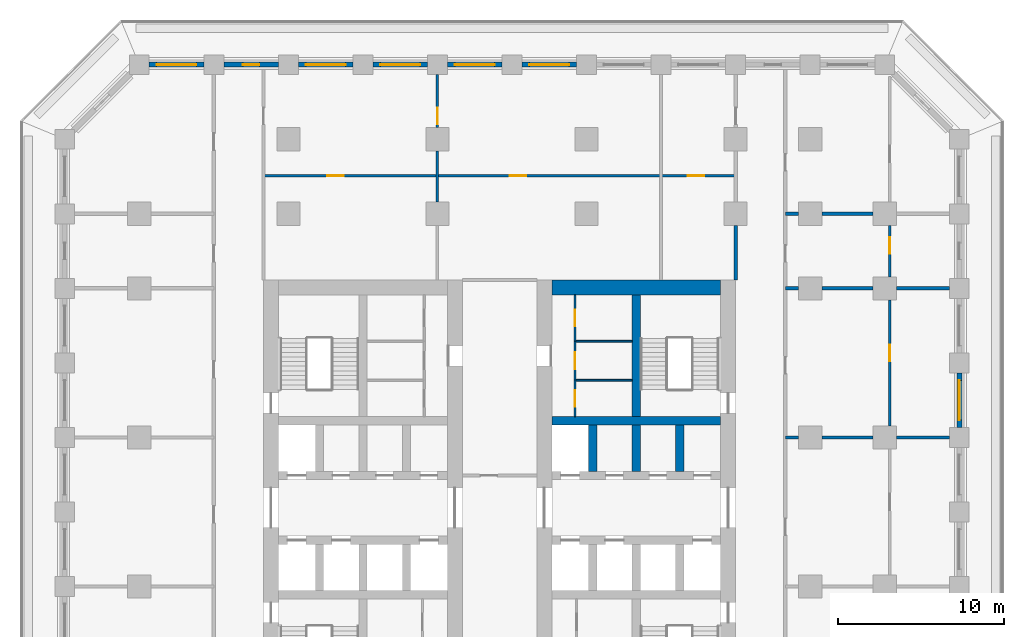
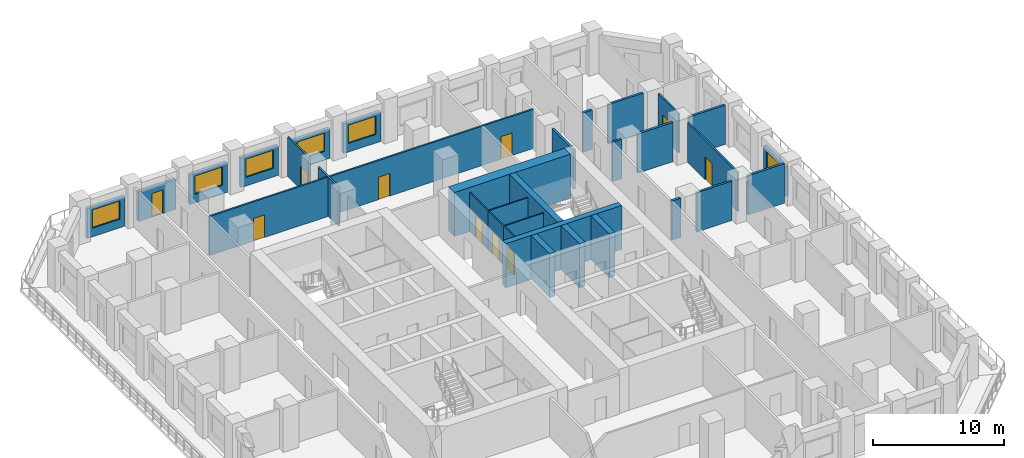
# One storey, part 7 of 17: 32 walls, 10 doors, 6 windows, 16 openings.
"""IFC4 building model written with IfcOpenShell, lengths in metres."""

import ifcopenshell
import ifcopenshell.guid

model = None  # the IFC model being written
_history = None  # IfcOwnerHistory: only IFC2X3 demands one
_inside = {}  # id of a spatial element -> (the spatial element, [elements in it])
_under = {}  # id of a project, library or spatial element -> (it, [spatial elements below it])
_declared = {}  # id of a project -> (the project, [libraries it declares])
_typed = {}  # id of a type object -> (the type object, [elements of that type])
_made_of = {}  # id of a material, layer set ... -> (it, [elements and type objects made of it])


def new_model(schema):
    """Start an empty IFC model of exactly this schema.

    Asked for "IFC4X3", IfcOpenShell would pick the latest addendum, in which some entities
    have other attributes; the version numbers below select the first issue.
    IFC2X3 requires an IfcOwnerHistory on every rooted entity: one is made here for all.
    """
    global model, _history
    if schema == "IFC4X3":
        model = ifcopenshell.file(schema_version=(4, 3, 0, 0))
    else:
        model = ifcopenshell.file(schema=schema)
    _inside.clear()
    _under.clear()
    _declared.clear()
    _typed.clear()
    _made_of.clear()
    _history = None
    if model.schema == "IFC2X3":
        org = make("IfcOrganization", Name="unknown")
        user = make(
            "IfcPersonAndOrganization",
            ThePerson=make("IfcPerson", FamilyName="unknown"),
            TheOrganization=org,
        )
        app = make(
            "IfcApplication",
            ApplicationDeveloper=org,
            Version="unknown",
            ApplicationFullName="unknown",
            ApplicationIdentifier="unknown",
        )
        _history = make(
            "IfcOwnerHistory",
            OwningUser=user,
            OwningApplication=app,
            ChangeAction="ADDED",
            CreationDate=0,
        )
    return model


def make(cls, **values):
    """One entity of the class cls with the attributes given. An attribute that is None is left unset."""
    return model.create_entity(
        cls, **{name: value for name, value in values.items() if value is not None}
    )


def rooted(cls, **values):
    """An entity with a GlobalId (a new one), such as an element, a storey or a relation."""
    return make(cls, GlobalId=ifcopenshell.guid.new(), OwnerHistory=_history, **values)


def si_unit(unit_type, name, prefix=None):
    """IfcSIUnit, for example si_unit("LENGTHUNIT", "METRE", prefix="MILLI")."""
    return make("IfcSIUnit", UnitType=unit_type, Prefix=prefix, Name=name)


def assignment(units):
    """IfcUnitAssignment: the units of a project."""
    return None if units is None else make("IfcUnitAssignment", Units=units)


def point(xyz):
    """IfcCartesianPoint."""
    return None if xyz is None else make("IfcCartesianPoint", Coordinates=xyz)


def direction(xyz):
    """IfcDirection."""
    return None if xyz is None else make("IfcDirection", DirectionRatios=xyz)


def frame(location, z_axis=None, x_axis=None):
    """IfcAxis2Placement3D, a coordinate frame: its origin and axes. An axis left out is left unset."""
    return make(
        "IfcAxis2Placement3D",
        Location=point(location),
        Axis=direction(z_axis),
        RefDirection=direction(x_axis),
    )


def frame_2d(location, x_axis=None):
    """IfcAxis2Placement2D, a coordinate frame in the plane: its origin and x axis."""
    return make(
        "IfcAxis2Placement2D", Location=point(location), RefDirection=direction(x_axis)
    )


def origin():
    """The frame at (0, 0, 0) with its axes left unset."""
    return frame((0.0, 0.0, 0.0))


def place(relative_to, where):
    """IfcLocalPlacement: puts the frame where relative to a parent placement (None: the world)."""
    return make(
        "IfcLocalPlacement", PlacementRelTo=relative_to, RelativePlacement=where
    )


def context(
    kind, dimensions, precision=None, world=None, true_north=None, identifier=None
):
    """IfcGeometricRepresentationContext, for example the 3D "Model" context."""
    return make(
        "IfcGeometricRepresentationContext",
        ContextIdentifier=identifier,
        ContextType=kind,
        CoordinateSpaceDimension=dimensions,
        Precision=precision,
        WorldCoordinateSystem=world,
        TrueNorth=true_north,
    )


def subcontext(parent, identifier, kind, view, scale=None):
    """IfcGeometricRepresentationSubContext, for example "Body" below "Model"."""
    return make(
        "IfcGeometricRepresentationSubContext",
        ContextIdentifier=identifier,
        ContextType=kind,
        ParentContext=parent,
        TargetScale=scale,
        TargetView=view,
    )


def project(units=None, contexts=None):
    """IfcProject with its units and contexts."""
    return rooted(
        "IfcProject",
        Name="project",
        RepresentationContexts=contexts,
        UnitsInContext=assignment(units),
    )


def spatial(cls, under=None, at=None, **own):
    """A site, building, storey or space (cls), placed at a placement, below another one or the project."""
    s = rooted(cls, ObjectPlacement=at, **own)
    if under is not None:
        _under.setdefault(under.id(), (under, []))[1].append(s)
    return s


def profile(cls, at=None, kind="AREA", **sizes):
    """A parametric profile (cls). Its sizes go by their IFC names, for example OverallWidth=200.0."""
    return make(cls, ProfileType=kind, Position=at, **sizes)


def rectangle(**sizes):
    """IfcRectangleProfileDef."""
    return profile("IfcRectangleProfileDef", **sizes)


def extrude(swept, where, along, depth):
    """IfcExtrudedAreaSolid: the profile swept, set in the frame where, extruded along a direction by depth."""
    return make(
        "IfcExtrudedAreaSolid",
        SweptArea=swept,
        Position=where,
        ExtrudedDirection=direction(along),
        Depth=depth,
    )


def shape(context_of_items, identifier, shape_type, items):
    """IfcShapeRepresentation: the items that make up one representation, for example the "Body"."""
    return make(
        "IfcShapeRepresentation",
        ContextOfItems=context_of_items,
        RepresentationIdentifier=identifier,
        RepresentationType=shape_type,
        Items=items,
    )


def material(Name=None, Category=None):
    """IfcMaterial."""
    return make("IfcMaterial", Name=Name, Category=Category)


def layer(
    of_material, thickness, ventilated=None, Name=None, Category=None, Priority=None
):
    """IfcMaterialLayer: one layer of a wall or slab, of a material (None: an air gap)."""
    return make(
        "IfcMaterialLayer",
        Material=of_material,
        LayerThickness=thickness,
        IsVentilated=ventilated,
        Name=Name,
        Category=Category,
        Priority=Priority,
    )


def layer_set(layers, Name=None):
    """IfcMaterialLayerSet."""
    return make("IfcMaterialLayerSet", MaterialLayers=layers, LayerSetName=Name)


def made_of(thing, what):
    """Note that an element or type object is made of a material, layer set ...; save() writes the relation."""
    if what is not None:
        _made_of.setdefault(what.id(), (what, []))[1].append(thing)
    return thing


def type_object(cls, material=None, **own):
    """A type object (cls), such as IfcWallType, which elements share."""
    return made_of(rooted(cls, **own), material)


def element(
    cls,
    number,
    at=None,
    inside=None,
    cuts=None,
    type_object=None,
    material=None,
    context=None,
    identifier="Body",
    shape_type=None,
    held_by="IfcProductDefinitionShape",
    body=None,
    shapes=None,
    **own,
):
    """One element of the class cls, such as IfcWall. Its Tag is "e" and its number.

    at: its placement. inside: the storey or other place that contains it. cuts: it is an
    opening in that element (IfcRelVoidsElement). A single representation is given by context,
    identifier, shape_type and body (its items); several are given by shapes. held_by: the class
    of the entity that holds the representations. save() writes the other relations.
    """
    e = rooted(cls, Tag="e%d" % number, ObjectPlacement=at, **own)
    if body is not None:
        shapes = [shape(context, identifier, shape_type, body)]
    if shapes is not None:
        e.Representation = make(held_by, Representations=shapes)
    if inside is not None:
        _inside.setdefault(inside.id(), (inside, []))[1].append(e)
    if cuts is not None:
        rooted(
            "IfcRelVoidsElement", RelatingBuildingElement=cuts, RelatedOpeningElement=e
        )
    if type_object is not None:
        _typed.setdefault(type_object.id(), (type_object, []))[1].append(e)
    return made_of(e, material)


def fill(opening, filler):
    """IfcRelFillsElement: the door or window that sits in an opening."""
    return rooted(
        "IfcRelFillsElement",
        RelatingOpeningElement=opening,
        RelatedBuildingElement=filler,
    )


def aggregate(whole, parts):
    """IfcRelAggregates: a whole, such as a stair, and the parts it consists of."""
    return rooted("IfcRelAggregates", RelatingObject=whole, RelatedObjects=parts)


def save(model, path):
    """Write the relations noted so far, then the file.

    IfcRelAggregates (storeys below a building ...), IfcRelContainedInSpatialStructure (elements
    in a storey), IfcRelDefinesByType, IfcRelAssociatesMaterial and IfcRelDeclares: one each for
    every whole, place, type object, material and project.
    """
    for whole, parts in _under.values():
        aggregate(whole, parts)
    for where, things in _inside.values():
        rooted(
            "IfcRelContainedInSpatialStructure",
            RelatedElements=things,
            RelatingStructure=where,
        )
    for kind, things in _typed.values():
        rooted("IfcRelDefinesByType", RelatedObjects=things, RelatingType=kind)
    for what, things in _made_of.values():
        rooted("IfcRelAssociatesMaterial", RelatedObjects=things, RelatingMaterial=what)
    for by, libraries in _declared.values():
        rooted("IfcRelDeclares", RelatingContext=by, RelatedDefinitions=libraries)
    model.write(path)


model = new_model("IFC4")

# Units and contexts
model_context = context("Model", 3, precision=1e-05, world=origin(), true_north=direction((0.0, 1.0)))
body_context = subcontext(model_context, "Body", "Model", "MODEL_VIEW")
ifc_project = project(units=[si_unit("LENGTHUNIT", "METRE"), si_unit("AREAUNIT", "SQUARE_METRE"), si_unit("VOLUMEUNIT", "CUBIC_METRE"), si_unit("PLANEANGLEUNIT", "RADIAN"), si_unit("MASSUNIT", "GRAM", prefix="KILO")], contexts=[model_context])

# Site, building, storey
site_placement = place(None, origin())
site = spatial("IfcSite", under=ifc_project, at=site_placement, CompositionType="ELEMENT")
building_placement = place(site_placement, origin())
building = spatial("IfcBuilding", under=site, at=building_placement, Name="Corbel Stack Research Tower", CompositionType="ELEMENT")
storey_placement = place(building_placement, frame((0.0, 0.0, 86.10009765625)))
storey = spatial("IfcBuildingStorey", under=building, at=storey_placement, Name="L19", CompositionType="ELEMENT", Elevation=86.10009765625)

# Walls
ifc_material_1 = material(Name="Concrete C70/85", Category="concrete")
ifc_layer_1 = layer(ifc_material_1, 0.5)
ifc_layer_set_1 = layer_set([ifc_layer_1], Name="Concrete C70/85")
wall_type_1 = type_object("IfcWallType", Name="CW-500-70", PredefinedType="SHEAR", material=ifc_layer_set_1)
wall_1_placement = place(storey_placement, frame((6.89990234375, 10.0, 0.0), z_axis=(0.0, 0.0, 1.0), x_axis=(1.0, 0.0, 0.0)))
element("IfcWall", 1, at=wall_1_placement, inside=storey, type_object=wall_type_1, Name="East core wall, north row back L19", PredefinedType="SHEAR", context=body_context, shape_type="SweptSolid", body=[
    extrude(rectangle(XDim=10.2001953125, YDim=0.5, at=frame_2d((5.10009765625, 0.0))), origin(), (0.0, 0.0, 1.0), 4.099853515625),
])
for number, where, z_axis, x_axis, name in (
    (2, (9.375, 6.949951171875, 0.0), (0.0, 0.0, 1.0), (0.0, 1.0, 0.0), "East core wall, north shaft 1 L19"),
    (3, (12.0, 6.949951171875, 0.0), (0.0, 0.0, 1.0), (0.0, 1.0, 0.0), "East core wall, north shaft 2 L19"),
    (4, (14.625, 6.949951171875, 0.0), (0.0, 0.0, 1.0), (0.0, 1.0, 0.0), "East core wall, north shaft 3 L19"),
):
    element("IfcWall", number, at=place(storey_placement, frame(where, z_axis=z_axis, x_axis=x_axis)), inside=storey, type_object=wall_type_1, Name=name, PredefinedType="SHEAR", context=body_context, shape_type="SweptSolid", body=[
        extrude(rectangle(XDim=2.800048828125, YDim=0.5, at=frame_2d((1.39990234375, 0.0))), origin(), (0.0, 0.0, 1.0), 4.099853515625),
    ])
wall_2_placement = place(storey_placement, frame((12.0, 10.25, 0.0), z_axis=(0.0, 0.0, 1.0), x_axis=(0.0, 1.0, 0.0)))
element("IfcWall", 5, at=wall_2_placement, inside=storey, type_object=wall_type_1, Name="East core wall, north stair and riser L19", PredefinedType="SHEAR", context=body_context, shape_type="SweptSolid", body=[
    extrude(rectangle(XDim=7.35009765625, YDim=0.5, at=frame_2d((3.675048828125, 0.0))), origin(), (0.0, 0.0, 1.0), 4.099853515625),
])
ifc_material_2 = material(Name="Concrete C70/85", Category="concrete")
ifc_layer_2 = layer(ifc_material_2, 0.89990234375)
ifc_layer_set_2 = layer_set([ifc_layer_2], Name="Concrete C70/85")
wall_type_2 = type_object("IfcWallType", Name="CW-900-70", PredefinedType="SHEAR", material=ifc_layer_set_2)
wall_3_placement = place(storey_placement, frame((6.89990234375, 18.050048828125, 0.0), z_axis=(0.0, 0.0, 1.0), x_axis=(1.0, 0.0, 0.0)))
element("IfcWall", 6, at=wall_3_placement, inside=storey, type_object=wall_type_2, Name="East core wall, north end L19", PredefinedType="SHEAR", context=body_context, shape_type="SweptSolid", body=[
    extrude(rectangle(XDim=10.2001953125, YDim=0.89990234375, at=frame_2d((5.10009765625, 0.0))), origin(), (0.0, 0.0, 1.0), 4.099853515625),
])

# Wall, opening, door
ifc_material_3 = material(Name="Gypsum board")
ifc_layer_3 = layer(ifc_material_3, 0.10009765625)
ifc_layer_set_3 = layer_set([ifc_layer_3], Name="Gypsum board")
wall_type_3 = type_object("IfcWallType", Name="Core partition 100", PredefinedType="PARTITIONING", material=ifc_layer_set_3)
wall_4_placement = place(storey_placement, frame((8.300048828125, 10.25, 0.0), z_axis=(0.0, 0.0, 1.0), x_axis=(0.0, 1.0, 0.0)))
wall_4 = element("IfcWall", 7, at=wall_4_placement, inside=storey, type_object=wall_type_3, Name="Core partition E", PredefinedType="PARTITIONING", context=body_context, shape_type="SweptSolid", body=[
    extrude(rectangle(XDim=2.205078125, YDim=0.10009765625, at=frame_2d((1.1025390625, 0.0))), origin(), (0.0, 0.0, 1.0), 3.64990234375),
])
opening_1_placement = place(wall_4_placement, frame((0.6025390625, 0.0, 0.0)))
opening_1 = element("IfcOpeningElement", 8, at=opening_1_placement, cuts=wall_4, Name="Opening CR-E12-R2-1000", PredefinedType="OPENING", context=body_context, shape_type="SweptSolid", body=[
    extrude(rectangle(XDim=1.0, YDim=2.10009765625, at=frame_2d((0.5, 1.050048828125))), frame((0.0, 0.06005859375, 0.0), z_axis=(0.0, -1.0, 0.0), x_axis=(1.0, 0.0, 0.0)), (0.0, 0.0, 1.0), 0.1201171875),
])
ifc_material_4 = material(Name="Painted steel door", Category="steel")
door_type_1 = type_object("IfcDoorType", Name="Riser door 1000 x 2100 FD60 left hand", OperationType="SINGLE_SWING_LEFT", PredefinedType="DOOR", material=ifc_material_4)
door_1_placement = place(opening_1_placement, origin())
door_1 = element("IfcDoor", 9, at=door_1_placement, inside=storey, type_object=door_type_1, Name="Mechanical riser door E core", OperationType="SINGLE_SWING_LEFT", OverallHeight=2.10009765625, OverallWidth=1.0, PredefinedType="DOOR", context=body_context, shape_type="SweptSolid", body=[
    extrude(rectangle(XDim=1.0, YDim=2.10009765625, at=frame_2d((0.5, 1.050048828125))), frame((0.0, 0.02490234375, 0.0), z_axis=(0.0, -1.0, 0.0), x_axis=(1.0, 0.0, 0.0)), (0.0, 0.0, 1.0), 0.050048828125),
])
fill(opening_1, door_1)

wall_5_placement = place(storey_placement, frame((8.300048828125, 12.455078125, 0.0), z_axis=(0.0, 0.0, 1.0), x_axis=(0.0, 1.0, 0.0)))
wall_5 = element("IfcWall", 10, at=wall_5_placement, inside=storey, type_object=wall_type_3, Name="Core partition E", PredefinedType="PARTITIONING", context=body_context, shape_type="SweptSolid", body=[
    extrude(rectangle(XDim=2.351806640625, YDim=0.10009765625, at=frame_2d((1.17578125, 0.0))), origin(), (0.0, 0.0, 1.0), 3.64990234375),
])
opening_2_placement = place(wall_5_placement, frame((0.676025390625, 0.0, 0.0)))
opening_2 = element("IfcOpeningElement", 11, at=opening_2_placement, cuts=wall_5, Name="Opening CR-E12-R3-1000", PredefinedType="OPENING", context=body_context, shape_type="SweptSolid", body=[
    extrude(rectangle(XDim=1.0, YDim=2.10009765625, at=frame_2d((0.5, 1.050048828125))), frame((0.0, 0.06005859375, 0.0), z_axis=(0.0, -1.0, 0.0), x_axis=(1.0, 0.0, 0.0)), (0.0, 0.0, 1.0), 0.1201171875),
])
ifc_material_5 = material(Name="Painted steel door", Category="steel")
door_type_2 = type_object("IfcDoorType", Name="Service door 1000 x 2100 FD30 right hand", OperationType="SINGLE_SWING_RIGHT", PredefinedType="DOOR", material=ifc_material_5)
door_2_placement = place(opening_2_placement, origin())
door_2 = element("IfcDoor", 12, at=door_2_placement, inside=storey, type_object=door_type_2, Name="Pantry door E core", OperationType="SINGLE_SWING_RIGHT", OverallHeight=2.10009765625, OverallWidth=1.0, PredefinedType="DOOR", context=body_context, shape_type="SweptSolid", body=[
    extrude(rectangle(XDim=1.0, YDim=2.10009765625, at=frame_2d((0.5, 1.050048828125))), frame((0.0, 0.02490234375, 0.0), z_axis=(0.0, -1.0, 0.0), x_axis=(1.0, 0.0, 0.0)), (0.0, 0.0, 1.0), 0.050048828125),
])
fill(opening_2, door_2)

wall_6_placement = place(storey_placement, frame((8.300048828125, 14.806884765625, 0.0), z_axis=(0.0, 0.0, 1.0), x_axis=(0.0, 1.0, 0.0)))
wall_6 = element("IfcWall", 13, at=wall_6_placement, inside=storey, type_object=wall_type_3, Name="Core partition E", PredefinedType="PARTITIONING", context=body_context, shape_type="SweptSolid", body=[
    extrude(rectangle(XDim=2.793212890625, YDim=0.10009765625, at=frame_2d((1.396484375, 0.0))), origin(), (0.0, 0.0, 1.0), 3.64990234375),
])
opening_3_placement = place(wall_6_placement, frame((0.896484375, 0.0, 0.0)))
opening_3 = element("IfcOpeningElement", 14, at=opening_3_placement, cuts=wall_6, Name="Opening CR-E12-R4-1000", PredefinedType="OPENING", context=body_context, shape_type="SweptSolid", body=[
    extrude(rectangle(XDim=1.0, YDim=2.10009765625, at=frame_2d((0.5, 1.050048828125))), frame((0.0, 0.06005859375, 0.0), z_axis=(0.0, -1.0, 0.0), x_axis=(1.0, 0.0, 0.0)), (0.0, 0.0, 1.0), 0.1201171875),
])
door_3_placement = place(opening_3_placement, origin())
door_3 = element("IfcDoor", 15, at=door_3_placement, inside=storey, type_object=door_type_1, Name="Electrical riser door E core", OperationType="SINGLE_SWING_LEFT", OverallHeight=2.10009765625, OverallWidth=1.0, PredefinedType="DOOR", context=body_context, shape_type="SweptSolid", body=[
    extrude(rectangle(XDim=1.0, YDim=2.10009765625, at=frame_2d((0.5, 1.050048828125))), frame((0.0, 0.02490234375, 0.0), z_axis=(0.0, -1.0, 0.0), x_axis=(1.0, 0.0, 0.0)), (0.0, 0.0, 1.0), 0.050048828125),
])
fill(opening_3, door_3)

# Walls
for number, where, z_axis, x_axis, name in (
    (16, (8.300048828125, 12.455078125, 0.0), (0.0, 0.0, 1.0), (1.0, 0.0, 0.0), "Core partition E"),
    (17, (8.300048828125, 14.806884765625, 0.0), (0.0, 0.0, 1.0), (1.0, 0.0, 0.0), "Core partition E"),
):
    element("IfcWall", number, at=place(storey_placement, frame(where, z_axis=z_axis, x_axis=x_axis)), inside=storey, type_object=wall_type_3, Name=name, PredefinedType="PARTITIONING", context=body_context, shape_type="SweptSolid", body=[
        extrude(rectangle(XDim=3.449951171875, YDim=0.10009765625, at=frame_2d((1.72509765625, 0.0))), origin(), (0.0, 0.0, 1.0), 3.64990234375),
    ])

# Wall, opening, door
ifc_material_6 = material(Name="Fire-rated gypsum board partition on steel studs", Category="steel")
ifc_layer_4 = layer(ifc_material_6, 0.14990234375)
ifc_layer_set_4 = layer_set([ifc_layer_4], Name="Fire-rated gypsum board partition on steel studs")
wall_type_4 = type_object("IfcWallType", Name="Fire-rated partition 150 EI 60", PredefinedType="PARTITIONING", material=ifc_layer_set_4)
wall_7_placement = place(storey_placement, frame((0.0, 30.89990234375, 0.0), z_axis=(0.0, 0.0, 1.0), x_axis=(0.0, -1.0, 0.0)))
wall_7 = element("IfcWall", 18, at=wall_7_placement, inside=storey, type_object=wall_type_4, Name="Partition L19-006", PredefinedType="PARTITIONING", context=body_context, shape_type="SweptSolid", body=[
    extrude(rectangle(XDim=3.199951171875, YDim=0.14990234375, at=frame_2d((1.60009765625, 0.0))), origin(), (0.0, 0.0, 1.0), 3.64990234375),
])
opening_4_placement = place(wall_7_placement, frame((2.0, 0.0, 0.0)))
opening_4 = element("IfcOpeningElement", 19, at=opening_4_placement, cuts=wall_7, Name="Opening B3V1-013", PredefinedType="OPENING", context=body_context, shape_type="SweptSolid", body=[
    extrude(rectangle(XDim=1.0, YDim=2.10009765625, at=frame_2d((0.5, 1.050048828125))), frame((0.0, 0.0849609375, 0.0), z_axis=(0.0, -1.0, 0.0), x_axis=(1.0, 0.0, 0.0)), (0.0, 0.0, 1.0), 0.169921875),
])
ifc_material_7 = material(Name="Painted steel fire door", Category="steel")
door_type_3 = type_object("IfcDoorType", Name="Fire door FD30S 1000 x 2100", OperationType="NOTDEFINED", PredefinedType="DOOR", material=ifc_material_7)
door_4_placement = place(opening_4_placement, origin())
door_4 = element("IfcDoor", 20, at=door_4_placement, inside=storey, type_object=door_type_3, Name="Door B3V1-013", OperationType="SINGLE_SWING_RIGHT", OverallHeight=2.10009765625, OverallWidth=1.0, PredefinedType="DOOR", context=body_context, shape_type="SweptSolid", body=[
    extrude(rectangle(XDim=1.0, YDim=2.10009765625, at=frame_2d((0.5, 1.050048828125))), frame((0.0, 0.02490234375, 0.0), z_axis=(0.0, -1.0, 0.0), x_axis=(1.0, 0.0, 0.0)), (0.0, 0.0, 1.0), 0.050048828125),
])
fill(opening_4, door_4)

# Walls
ifc_material_8 = material(Name="Fire-rated gypsum board partition on steel studs", Category="steel")
ifc_layer_5 = layer(ifc_material_8, 0.199951171875)
ifc_layer_set_5 = layer_set([ifc_layer_5], Name="Fire-rated gypsum board partition on steel studs")
wall_type_5 = type_object("IfcWallType", Name="Fire-rated partition 200 EI 60", PredefinedType="PARTITIONING", material=ifc_layer_set_5)
wall_8_placement = place(storey_placement, frame((18.0, 18.5, 0.0), z_axis=(0.0, 0.0, 1.0), x_axis=(0.0, 1.0, 0.0)))
element("IfcWall", 21, at=wall_8_placement, inside=storey, type_object=wall_type_5, Name="Partition L19-013", PredefinedType="PARTITIONING", context=body_context, shape_type="SweptSolid", body=[
    extrude(rectangle(XDim=3.300048828125, YDim=0.199951171875, at=frame_2d((1.64990234375, 0.0))), origin(), (0.0, 0.0, 1.0), 3.64990234375),
])
wall_9_placement = place(storey_placement, frame((21.0, 9.0, 0.0), z_axis=(0.0, 0.0, 1.0), x_axis=(1.0, 0.0, 0.0)))
element("IfcWall", 22, at=wall_9_placement, inside=storey, type_object=wall_type_5, Name="Partition L19-035", PredefinedType="PARTITIONING", context=body_context, shape_type="SweptSolid", body=[
    extrude(rectangle(XDim=0.800048828125, YDim=0.199951171875, at=frame_2d((0.39990234375, 0.0))), origin(), (0.0, 0.0, 1.0), 3.64990234375),
])
wall_10_placement = place(storey_placement, frame((23.199951171875, 9.0, 0.0), z_axis=(0.0, 0.0, 1.0), x_axis=(1.0, 0.0, 0.0)))
element("IfcWall", 23, at=wall_10_placement, inside=storey, type_object=wall_type_5, Name="Partition L19-036", PredefinedType="PARTITIONING", context=body_context, shape_type="SweptSolid", body=[
    extrude(rectangle(XDim=3.10009765625, YDim=0.199951171875, at=frame_2d((1.550048828125, 0.0))), origin(), (0.0, 0.0, 1.0), 3.64990234375),
])
wall_11_placement = place(storey_placement, frame((27.699951171875, 9.0, 0.0), z_axis=(0.0, 0.0, 1.0), x_axis=(1.0, 0.0, 0.0)))
element("IfcWall", 24, at=wall_11_placement, inside=storey, type_object=wall_type_5, Name="Partition L19-037", PredefinedType="PARTITIONING", context=body_context, shape_type="SweptSolid", body=[
    extrude(rectangle(XDim=3.199951171875, YDim=0.199951171875, at=frame_2d((1.60009765625, 0.0))), origin(), (0.0, 0.0, 1.0), 3.64990234375),
])
wall_12_placement = place(storey_placement, frame((21.0, 18.0, 0.0), z_axis=(0.0, 0.0, 1.0), x_axis=(1.0, 0.0, 0.0)))
element("IfcWall", 25, at=wall_12_placement, inside=storey, type_object=wall_type_5, Name="Partition L19-040", PredefinedType="PARTITIONING", context=body_context, shape_type="SweptSolid", body=[
    extrude(rectangle(XDim=0.800048828125, YDim=0.199951171875, at=frame_2d((0.39990234375, 0.0))), origin(), (0.0, 0.0, 1.0), 3.64990234375),
])
wall_13_placement = place(storey_placement, frame((23.199951171875, 18.0, 0.0), z_axis=(0.0, 0.0, 1.0), x_axis=(1.0, 0.0, 0.0)))
element("IfcWall", 26, at=wall_13_placement, inside=storey, type_object=wall_type_5, Name="Partition L19-041", PredefinedType="PARTITIONING", context=body_context, shape_type="SweptSolid", body=[
    extrude(rectangle(XDim=3.10009765625, YDim=0.199951171875, at=frame_2d((1.550048828125, 0.0))), origin(), (0.0, 0.0, 1.0), 3.64990234375),
])
wall_14_placement = place(storey_placement, frame((27.699951171875, 18.0, 0.0), z_axis=(0.0, 0.0, 1.0), x_axis=(1.0, 0.0, 0.0)))
element("IfcWall", 27, at=wall_14_placement, inside=storey, type_object=wall_type_5, Name="Partition L19-042", PredefinedType="PARTITIONING", context=body_context, shape_type="SweptSolid", body=[
    extrude(rectangle(XDim=3.199951171875, YDim=0.199951171875, at=frame_2d((1.60009765625, 0.0))), origin(), (0.0, 0.0, 1.0), 3.64990234375),
])
wall_15_placement = place(storey_placement, frame((21.0, 22.5, 0.0), z_axis=(0.0, 0.0, 1.0), x_axis=(1.0, 0.0, 0.0)))
element("IfcWall", 28, at=wall_15_placement, inside=storey, type_object=wall_type_5, Name="Partition L19-046", PredefinedType="PARTITIONING", context=body_context, shape_type="SweptSolid", body=[
    extrude(rectangle(XDim=0.800048828125, YDim=0.199951171875, at=frame_2d((0.39990234375, 0.0))), origin(), (0.0, 0.0, 1.0), 3.64990234375),
])
wall_16_placement = place(storey_placement, frame((23.199951171875, 22.5, 0.0), z_axis=(0.0, 0.0, 1.0), x_axis=(1.0, 0.0, 0.0)))
element("IfcWall", 29, at=wall_16_placement, inside=storey, type_object=wall_type_5, Name="Partition L19-047", PredefinedType="PARTITIONING", context=body_context, shape_type="SweptSolid", body=[
    extrude(rectangle(XDim=3.10009765625, YDim=0.199951171875, at=frame_2d((1.550048828125, 0.0))), origin(), (0.0, 0.0, 1.0), 3.64990234375),
])
ifc_material_9 = material(Name="Gypsum board partition on steel studs", Category="steel")
ifc_layer_6 = layer(ifc_material_9, 0.14990234375)
ifc_layer_set_6 = layer_set([ifc_layer_6], Name="Gypsum board partition on steel studs")
wall_type_6 = type_object("IfcWallType", Name="Partition 150", PredefinedType="PARTITIONING", material=ifc_layer_set_6)
wall_17_placement = place(storey_placement, frame((0.0, 23.199951171875, 0.0), z_axis=(0.0, 0.0, 1.0), x_axis=(0.0, 1.0, 0.0)))
element("IfcWall", 30, at=wall_17_placement, inside=storey, type_object=wall_type_6, Name="Partition L19-005", PredefinedType="PARTITIONING", context=body_context, shape_type="SweptSolid", body=[
    extrude(rectangle(XDim=3.10009765625, YDim=0.14990234375, at=frame_2d((1.550048828125, 0.0))), origin(), (0.0, 0.0, 1.0), 3.64990234375),
])

# Wall, opening, door
wall_18_placement = place(storey_placement, frame((27.300048828125, 17.300048828125, 0.0), z_axis=(0.0, 0.0, 1.0), x_axis=(0.0, -1.0, 0.0)))
wall_18 = element("IfcWall", 31, at=wall_18_placement, inside=storey, type_object=wall_type_6, Name="Partition L19-020", PredefinedType="PARTITIONING", context=body_context, shape_type="SweptSolid", body=[
    extrude(rectangle(XDim=7.60009765625, YDim=0.14990234375, at=frame_2d((3.800048828125, 0.0))), origin(), (0.0, 0.0, 1.0), 3.64990234375),
])
opening_5_placement = place(wall_18_placement, frame((2.699951171875, 0.0, 0.0)))
opening_5 = element("IfcOpeningElement", 32, at=opening_5_placement, cuts=wall_18, Name="Opening B3V1-029", PredefinedType="OPENING", context=body_context, shape_type="SweptSolid", body=[
    extrude(rectangle(XDim=1.0, YDim=2.10009765625, at=frame_2d((0.5, 1.050048828125))), frame((0.0, 0.0849609375, 0.0), z_axis=(0.0, -1.0, 0.0), x_axis=(1.0, 0.0, 0.0)), (0.0, 0.0, 1.0), 0.169921875),
])
ifc_material_10 = material(Name="Painted timber door", Category="wood")
door_type_4 = type_object("IfcDoorType", Name="Single door 1000 x 2100", OperationType="NOTDEFINED", PredefinedType="DOOR", material=ifc_material_10)
door_5_placement = place(opening_5_placement, origin())
door_5 = element("IfcDoor", 33, at=door_5_placement, inside=storey, type_object=door_type_4, Name="Door B3V1-029", OperationType="SINGLE_SWING_LEFT", OverallHeight=2.10009765625, OverallWidth=1.0, PredefinedType="DOOR", context=body_context, shape_type="SweptSolid", body=[
    extrude(rectangle(XDim=1.0, YDim=2.10009765625, at=frame_2d((0.5, 1.050048828125))), frame((0.0, 0.02490234375, 0.0), z_axis=(0.0, -1.0, 0.0), x_axis=(1.0, 0.0, 0.0)), (0.0, 0.0, 1.0), 0.050048828125),
])
fill(opening_5, door_5)

wall_19_placement = place(storey_placement, frame((27.300048828125, 21.800048828125, 0.0), z_axis=(0.0, 0.0, 1.0), x_axis=(0.0, -1.0, 0.0)))
wall_19 = element("IfcWall", 34, at=wall_19_placement, inside=storey, type_object=wall_type_6, Name="Partition L19-021", PredefinedType="PARTITIONING", context=body_context, shape_type="SweptSolid", body=[
    extrude(rectangle(XDim=3.10009765625, YDim=0.14990234375, at=frame_2d((1.550048828125, 0.0))), origin(), (0.0, 0.0, 1.0), 3.64990234375),
])
opening_6_placement = place(wall_19_placement, frame((0.699951171875, 0.0, 0.0)))
opening_6 = element("IfcOpeningElement", 35, at=opening_6_placement, cuts=wall_19, Name="Opening B3V1-030", PredefinedType="OPENING", context=body_context, shape_type="SweptSolid", body=[
    extrude(rectangle(XDim=1.0, YDim=2.10009765625, at=frame_2d((0.5, 1.050048828125))), frame((0.0, 0.0849609375, 0.0), z_axis=(0.0, -1.0, 0.0), x_axis=(1.0, 0.0, 0.0)), (0.0, 0.0, 1.0), 0.169921875),
])
door_6_placement = place(opening_6_placement, origin())
door_6 = element("IfcDoor", 36, at=door_6_placement, inside=storey, type_object=door_type_4, Name="Door B3V1-030", OperationType="SINGLE_SWING_LEFT", OverallHeight=2.10009765625, OverallWidth=1.0, PredefinedType="DOOR", context=body_context, shape_type="SweptSolid", body=[
    extrude(rectangle(XDim=1.0, YDim=2.10009765625, at=frame_2d((0.5, 1.050048828125))), frame((0.0, 0.02490234375, 0.0), z_axis=(0.0, -1.0, 0.0), x_axis=(1.0, 0.0, 0.0)), (0.0, 0.0, 1.0), 0.050048828125),
])
fill(opening_6, door_6)

# Wall, openings, doors
wall_20_placement = place(storey_placement, frame((18.0, 24.800048828125, 0.0), z_axis=(0.0, 0.0, 1.0), x_axis=(-1.0, 0.0, 0.0)))
wall_20 = element("IfcWall", 37, at=wall_20_placement, inside=storey, type_object=wall_type_6, Name="Partition L19-049", PredefinedType="PARTITIONING", context=body_context, shape_type="SweptSolid", body=[
    extrude(rectangle(XDim=28.5, YDim=0.14990234375, at=frame_2d((14.25, 0.0))), origin(), (0.0, 0.0, 1.0), 3.64990234375),
])
opening_7_placement = place(wall_20_placement, frame((23.64990234375, 0.0, 0.0)))
opening_7 = element("IfcOpeningElement", 38, at=opening_7_placement, cuts=wall_20, Name="Opening B3V1-023", PredefinedType="OPENING", context=body_context, shape_type="SweptSolid", body=[
    extrude(rectangle(XDim=1.0, YDim=2.10009765625, at=frame_2d((0.5, 1.050048828125))), frame((0.0, 0.0849609375, 0.0), z_axis=(0.0, -1.0, 0.0), x_axis=(1.0, 0.0, 0.0)), (0.0, 0.0, 1.0), 0.169921875),
])
opening_8_placement = place(wall_20_placement, frame((12.64990234375, 0.0, 0.0)))
opening_8 = element("IfcOpeningElement", 39, at=opening_8_placement, cuts=wall_20, Name="Opening B3V1-024", PredefinedType="OPENING", context=body_context, shape_type="SweptSolid", body=[
    extrude(rectangle(XDim=1.0, YDim=2.10009765625, at=frame_2d((0.5, 1.050048828125))), frame((0.0, 0.0849609375, 0.0), z_axis=(0.0, -1.0, 0.0), x_axis=(1.0, 0.0, 0.0)), (0.0, 0.0, 1.0), 0.169921875),
])
opening_9_placement = place(wall_20_placement, frame((1.89990234375, 0.0, 0.0)))
opening_9 = element("IfcOpeningElement", 40, at=opening_9_placement, cuts=wall_20, Name="Opening B3V1-025", PredefinedType="OPENING", context=body_context, shape_type="SweptSolid", body=[
    extrude(rectangle(XDim=1.0, YDim=2.10009765625, at=frame_2d((0.5, 1.050048828125))), frame((0.0, 0.0849609375, 0.0), z_axis=(0.0, -1.0, 0.0), x_axis=(1.0, 0.0, 0.0)), (0.0, 0.0, 1.0), 0.169921875),
])
door_7_placement = place(opening_7_placement, origin())
door_7 = element("IfcDoor", 41, at=door_7_placement, inside=storey, type_object=door_type_4, Name="Door B3V1-023", OperationType="SINGLE_SWING_RIGHT", OverallHeight=2.10009765625, OverallWidth=1.0, PredefinedType="DOOR", context=body_context, shape_type="SweptSolid", body=[
    extrude(rectangle(XDim=1.0, YDim=2.10009765625, at=frame_2d((0.5, 1.050048828125))), frame((0.0, 0.02490234375, 0.0), z_axis=(0.0, -1.0, 0.0), x_axis=(1.0, 0.0, 0.0)), (0.0, 0.0, 1.0), 0.050048828125),
])
fill(opening_7, door_7)
door_8_placement = place(opening_8_placement, origin())
door_8 = element("IfcDoor", 42, at=door_8_placement, inside=storey, type_object=door_type_4, Name="Door B3V1-024", OperationType="SINGLE_SWING_LEFT", OverallHeight=2.10009765625, OverallWidth=1.0, PredefinedType="DOOR", context=body_context, shape_type="SweptSolid", body=[
    extrude(rectangle(XDim=1.0, YDim=2.10009765625, at=frame_2d((0.5, 1.050048828125))), frame((0.0, 0.02490234375, 0.0), z_axis=(0.0, -1.0, 0.0), x_axis=(1.0, 0.0, 0.0)), (0.0, 0.0, 1.0), 0.050048828125),
])
fill(opening_8, door_8)
door_9_placement = place(opening_9_placement, origin())
door_9 = element("IfcDoor", 43, at=door_9_placement, inside=storey, type_object=door_type_4, Name="Door B3V1-025", OperationType="SINGLE_SWING_LEFT", OverallHeight=2.10009765625, OverallWidth=1.0, PredefinedType="DOOR", context=body_context, shape_type="SweptSolid", body=[
    extrude(rectangle(XDim=1.0, YDim=2.10009765625, at=frame_2d((0.5, 1.050048828125))), frame((0.0, 0.02490234375, 0.0), z_axis=(0.0, -1.0, 0.0), x_axis=(1.0, 0.0, 0.0)), (0.0, 0.0, 1.0), 0.050048828125),
])
fill(opening_9, door_9)

# Wall, opening, window
ifc_material_11 = material(Name="Concrete C45/55", Category="concrete")
ifc_layer_7 = layer(ifc_material_11, 0.300048828125)
ifc_layer_set_7 = layer_set([ifc_layer_7], Name="Concrete C45/55")
wall_type_7 = type_object("IfcWallType", Name="Terracotta-faced concrete wall 300", PredefinedType="SOLIDWALL", material=ifc_layer_set_7)
wall_21_placement = place(storey_placement, frame((31.5, 12.89990234375, 0.0), z_axis=(0.0, 0.0, 1.0), x_axis=(0.0, -1.0, 0.0)))
wall_21 = element("IfcWall", 44, at=wall_21_placement, inside=storey, type_object=wall_type_7, Name="Facade wall L19 E07", PredefinedType="SOLIDWALL", context=body_context, shape_type="SweptSolid", body=[
    extrude(rectangle(XDim=3.2998046875, YDim=0.300048828125, at=frame_2d((1.64990234375, 0.0))), origin(), (0.0, 0.0, 1.0), 2.75),
])
opening_10_placement = place(wall_21_placement, frame((0.449951171875, 0.0, 0.800048828125)))
opening_10 = element("IfcOpeningElement", 45, at=opening_10_placement, cuts=wall_21, Name="Opening W1", PredefinedType="OPENING", context=body_context, shape_type="SweptSolid", body=[
    extrude(rectangle(XDim=2.39990234375, YDim=1.699951171875, at=frame_2d((1.199951171875, 0.85009765625))), frame((0.0, 0.159912109375, 0.0), z_axis=(0.0, -1.0, 0.0), x_axis=(1.0, 0.0, 0.0)), (0.0, 0.0, 1.0), 0.320068359375),
])
ifc_material_12 = material(Name="Aluminium frame, clear double glazing", Category="aluminium")
window_type = type_object("IfcWindowType", Name="Window W1 2400 x 1700", PartitioningType="SINGLE_PANEL", PredefinedType="WINDOW", material=ifc_material_12)
window_1_placement = place(opening_10_placement, origin())
window_1 = element("IfcWindow", 46, at=window_1_placement, inside=storey, type_object=window_type, Name="Window W1 L19 E07", OverallHeight=1.699951171875, OverallWidth=2.39990234375, PartitioningType="SINGLE_PANEL", PredefinedType="WINDOW", context=body_context, shape_type="SweptSolid", body=[
    extrude(rectangle(XDim=2.39990234375, YDim=1.699951171875, at=frame_2d((1.199951171875, 0.85009765625))), frame((0.0, 0.030029296875, 0.0), z_axis=(0.0, -1.0, 0.0), x_axis=(1.0, 0.0, 0.0)), (0.0, 0.0, 1.0), 0.06005859375),
])
fill(opening_10, window_1)

wall_22_placement = place(storey_placement, frame((5.10009765625, 31.5, 0.0), z_axis=(0.0, 0.0, 1.0), x_axis=(1.0, 0.0, 0.0)))
wall_22 = element("IfcWall", 47, at=wall_22_placement, inside=storey, type_object=wall_type_7, Name="Facade wall L19 N05", PredefinedType="SOLIDWALL", context=body_context, shape_type="SweptSolid", body=[
    extrude(rectangle(XDim=3.2998046875, YDim=0.300048828125, at=frame_2d((1.64990234375, 0.0))), origin(), (0.0, 0.0, 1.0), 2.75),
])
opening_11_placement = place(wall_22_placement, frame((0.449951171875, 0.0, 0.800048828125)))
opening_11 = element("IfcOpeningElement", 48, at=opening_11_placement, cuts=wall_22, Name="Opening W1", PredefinedType="OPENING", context=body_context, shape_type="SweptSolid", body=[
    extrude(rectangle(XDim=2.39990234375, YDim=1.699951171875, at=frame_2d((1.199951171875, 0.85009765625))), frame((0.0, 0.159912109375, 0.0), z_axis=(0.0, -1.0, 0.0), x_axis=(1.0, 0.0, 0.0)), (0.0, 0.0, 1.0), 0.320068359375),
])
window_2_placement = place(opening_11_placement, origin())
window_2 = element("IfcWindow", 49, at=window_2_placement, inside=storey, type_object=window_type, Name="Window W1 L19 N05", OverallHeight=1.699951171875, OverallWidth=2.39990234375, PartitioningType="SINGLE_PANEL", PredefinedType="WINDOW", context=body_context, shape_type="SweptSolid", body=[
    extrude(rectangle(XDim=2.39990234375, YDim=1.699951171875, at=frame_2d((1.199951171875, 0.85009765625))), frame((0.0, 0.030029296875, 0.0), z_axis=(0.0, -1.0, 0.0), x_axis=(1.0, 0.0, 0.0)), (0.0, 0.0, 1.0), 0.06005859375),
])
fill(opening_11, window_2)

wall_23_placement = place(storey_placement, frame((0.60009765625, 31.5, 0.0), z_axis=(0.0, 0.0, 1.0), x_axis=(1.0, 0.0, 0.0)))
wall_23 = element("IfcWall", 50, at=wall_23_placement, inside=storey, type_object=wall_type_7, Name="Facade wall L19 N06", PredefinedType="SOLIDWALL", context=body_context, shape_type="SweptSolid", body=[
    extrude(rectangle(XDim=3.2998046875, YDim=0.300048828125, at=frame_2d((1.64990234375, 0.0))), origin(), (0.0, 0.0, 1.0), 2.75),
])
opening_12_placement = place(wall_23_placement, frame((0.449951171875, 0.0, 0.800048828125)))
opening_12 = element("IfcOpeningElement", 51, at=opening_12_placement, cuts=wall_23, Name="Opening W1", PredefinedType="OPENING", context=body_context, shape_type="SweptSolid", body=[
    extrude(rectangle(XDim=2.39990234375, YDim=1.699951171875, at=frame_2d((1.199951171875, 0.85009765625))), frame((0.0, 0.159912109375, 0.0), z_axis=(0.0, -1.0, 0.0), x_axis=(1.0, 0.0, 0.0)), (0.0, 0.0, 1.0), 0.320068359375),
])
window_3_placement = place(opening_12_placement, origin())
window_3 = element("IfcWindow", 52, at=window_3_placement, inside=storey, type_object=window_type, Name="Window W1 L19 N06", OverallHeight=1.699951171875, OverallWidth=2.39990234375, PartitioningType="SINGLE_PANEL", PredefinedType="WINDOW", context=body_context, shape_type="SweptSolid", body=[
    extrude(rectangle(XDim=2.39990234375, YDim=1.699951171875, at=frame_2d((1.199951171875, 0.85009765625))), frame((0.0, 0.030029296875, 0.0), z_axis=(0.0, -1.0, 0.0), x_axis=(1.0, 0.0, 0.0)), (0.0, 0.0, 1.0), 0.06005859375),
])
fill(opening_12, window_3)

wall_24_placement = place(storey_placement, frame((-3.89990234375, 31.5, 0.0), z_axis=(0.0, 0.0, 1.0), x_axis=(1.0, 0.0, 0.0)))
wall_24 = element("IfcWall", 53, at=wall_24_placement, inside=storey, type_object=wall_type_7, Name="Facade wall L19 N07", PredefinedType="SOLIDWALL", context=body_context, shape_type="SweptSolid", body=[
    extrude(rectangle(XDim=3.2998046875, YDim=0.300048828125, at=frame_2d((1.64990234375, 0.0))), origin(), (0.0, 0.0, 1.0), 2.75),
])
opening_13_placement = place(wall_24_placement, frame((0.449951171875, 0.0, 0.800048828125)))
opening_13 = element("IfcOpeningElement", 54, at=opening_13_placement, cuts=wall_24, Name="Opening W1", PredefinedType="OPENING", context=body_context, shape_type="SweptSolid", body=[
    extrude(rectangle(XDim=2.39990234375, YDim=1.699951171875, at=frame_2d((1.199951171875, 0.85009765625))), frame((0.0, 0.159912109375, 0.0), z_axis=(0.0, -1.0, 0.0), x_axis=(1.0, 0.0, 0.0)), (0.0, 0.0, 1.0), 0.320068359375),
])
window_4_placement = place(opening_13_placement, origin())
window_4 = element("IfcWindow", 55, at=window_4_placement, inside=storey, type_object=window_type, Name="Window W1 L19 N07", OverallHeight=1.699951171875, OverallWidth=2.39990234375, PartitioningType="SINGLE_PANEL", PredefinedType="WINDOW", context=body_context, shape_type="SweptSolid", body=[
    extrude(rectangle(XDim=2.39990234375, YDim=1.699951171875, at=frame_2d((1.199951171875, 0.85009765625))), frame((0.0, 0.030029296875, 0.0), z_axis=(0.0, -1.0, 0.0), x_axis=(1.0, 0.0, 0.0)), (0.0, 0.0, 1.0), 0.06005859375),
])
fill(opening_13, window_4)

wall_25_placement = place(storey_placement, frame((-8.39990234375, 31.5, 0.0), z_axis=(0.0, 0.0, 1.0), x_axis=(1.0, 0.0, 0.0)))
wall_25 = element("IfcWall", 56, at=wall_25_placement, inside=storey, type_object=wall_type_7, Name="Facade wall L19 N08", PredefinedType="SOLIDWALL", context=body_context, shape_type="SweptSolid", body=[
    extrude(rectangle(XDim=3.2998046875, YDim=0.300048828125, at=frame_2d((1.64990234375, 0.0))), origin(), (0.0, 0.0, 1.0), 2.75),
])
opening_14_placement = place(wall_25_placement, frame((0.449951171875, 0.0, 0.800048828125)))
opening_14 = element("IfcOpeningElement", 57, at=opening_14_placement, cuts=wall_25, Name="Opening W1", PredefinedType="OPENING", context=body_context, shape_type="SweptSolid", body=[
    extrude(rectangle(XDim=2.39990234375, YDim=1.699951171875, at=frame_2d((1.199951171875, 0.85009765625))), frame((0.0, 0.159912109375, 0.0), z_axis=(0.0, -1.0, 0.0), x_axis=(1.0, 0.0, 0.0)), (0.0, 0.0, 1.0), 0.320068359375),
])
window_5_placement = place(opening_14_placement, origin())
window_5 = element("IfcWindow", 58, at=window_5_placement, inside=storey, type_object=window_type, Name="Window W1 L19 N08", OverallHeight=1.699951171875, OverallWidth=2.39990234375, PartitioningType="SINGLE_PANEL", PredefinedType="WINDOW", context=body_context, shape_type="SweptSolid", body=[
    extrude(rectangle(XDim=2.39990234375, YDim=1.699951171875, at=frame_2d((1.199951171875, 0.85009765625))), frame((0.0, 0.030029296875, 0.0), z_axis=(0.0, -1.0, 0.0), x_axis=(1.0, 0.0, 0.0)), (0.0, 0.0, 1.0), 0.06005859375),
])
fill(opening_14, window_5)

# Wall, opening, door
wall_26_placement = place(storey_placement, frame((-12.89990234375, 31.5, 0.0), z_axis=(0.0, 0.0, 1.0), x_axis=(1.0, 0.0, 0.0)))
wall_26 = element("IfcWall", 59, at=wall_26_placement, inside=storey, type_object=wall_type_7, Name="Facade wall L19 N09", PredefinedType="SOLIDWALL", context=body_context, shape_type="SweptSolid", body=[
    extrude(rectangle(XDim=3.2998046875, YDim=0.300048828125, at=frame_2d((1.64990234375, 0.0))), origin(), (0.0, 0.0, 1.0), 2.75),
])
opening_15_placement = place(wall_26_placement, frame((1.14990234375, 0.0, 0.0)))
opening_15 = element("IfcOpeningElement", 60, at=opening_15_placement, cuts=wall_26, Name="Opening L19-B08", PredefinedType="OPENING", context=body_context, shape_type="SweptSolid", body=[
    extrude(rectangle(XDim=1.0, YDim=2.199951171875, at=frame_2d((0.5, 1.10009765625))), frame((0.0, 0.159912109375, 0.0), z_axis=(0.0, -1.0, 0.0), x_axis=(1.0, 0.0, 0.0)), (0.0, 0.0, 1.0), 0.320068359375),
])
ifc_material_13 = material(Name="Aluminium frame, clear double glazing", Category="aluminium")
door_type_5 = type_object("IfcDoorType", Name="Balcony door BD1 1000 x 2200", OperationType="NOTDEFINED", PredefinedType="DOOR", material=ifc_material_13)
door_10_placement = place(opening_15_placement, origin())
door_10 = element("IfcDoor", 61, at=door_10_placement, inside=storey, type_object=door_type_5, Name="Balcony door L19-B08", OperationType="SINGLE_SWING_RIGHT", OverallHeight=2.199951171875, OverallWidth=1.0, PredefinedType="DOOR", context=body_context, shape_type="SweptSolid", body=[
    extrude(rectangle(XDim=1.0, YDim=2.199951171875, at=frame_2d((0.5, 1.10009765625))), frame((0.0, 0.02490234375, 0.0), z_axis=(0.0, -1.0, 0.0), x_axis=(1.0, 0.0, 0.0)), (0.0, 0.0, 1.0), 0.050048828125),
])
fill(opening_15, door_10)

# Wall, opening, window
wall_27_placement = place(storey_placement, frame((-17.39990234375, 31.5, 0.0), z_axis=(0.0, 0.0, 1.0), x_axis=(1.0, 0.0, 0.0)))
wall_27 = element("IfcWall", 62, at=wall_27_placement, inside=storey, type_object=wall_type_7, Name="Facade wall L19 N10", PredefinedType="SOLIDWALL", context=body_context, shape_type="SweptSolid", body=[
    extrude(rectangle(XDim=3.2998046875, YDim=0.300048828125, at=frame_2d((1.64990234375, 0.0))), origin(), (0.0, 0.0, 1.0), 2.75),
])
opening_16_placement = place(wall_27_placement, frame((0.449951171875, 0.0, 0.800048828125)))
opening_16 = element("IfcOpeningElement", 63, at=opening_16_placement, cuts=wall_27, Name="Opening W1", PredefinedType="OPENING", context=body_context, shape_type="SweptSolid", body=[
    extrude(rectangle(XDim=2.39990234375, YDim=1.699951171875, at=frame_2d((1.199951171875, 0.85009765625))), frame((0.0, 0.159912109375, 0.0), z_axis=(0.0, -1.0, 0.0), x_axis=(1.0, 0.0, 0.0)), (0.0, 0.0, 1.0), 0.320068359375),
])
window_6_placement = place(opening_16_placement, origin())
window_6 = element("IfcWindow", 64, at=window_6_placement, inside=storey, type_object=window_type, Name="Window W1 L19 N10", OverallHeight=1.699951171875, OverallWidth=2.39990234375, PartitioningType="SINGLE_PANEL", PredefinedType="WINDOW", context=body_context, shape_type="SweptSolid", body=[
    extrude(rectangle(XDim=2.39990234375, YDim=1.699951171875, at=frame_2d((1.199951171875, 0.85009765625))), frame((0.0, 0.030029296875, 0.0), z_axis=(0.0, -1.0, 0.0), x_axis=(1.0, 0.0, 0.0)), (0.0, 0.0, 1.0), 0.06005859375),
])
fill(opening_16, window_6)

save(model, "model.ifc")
